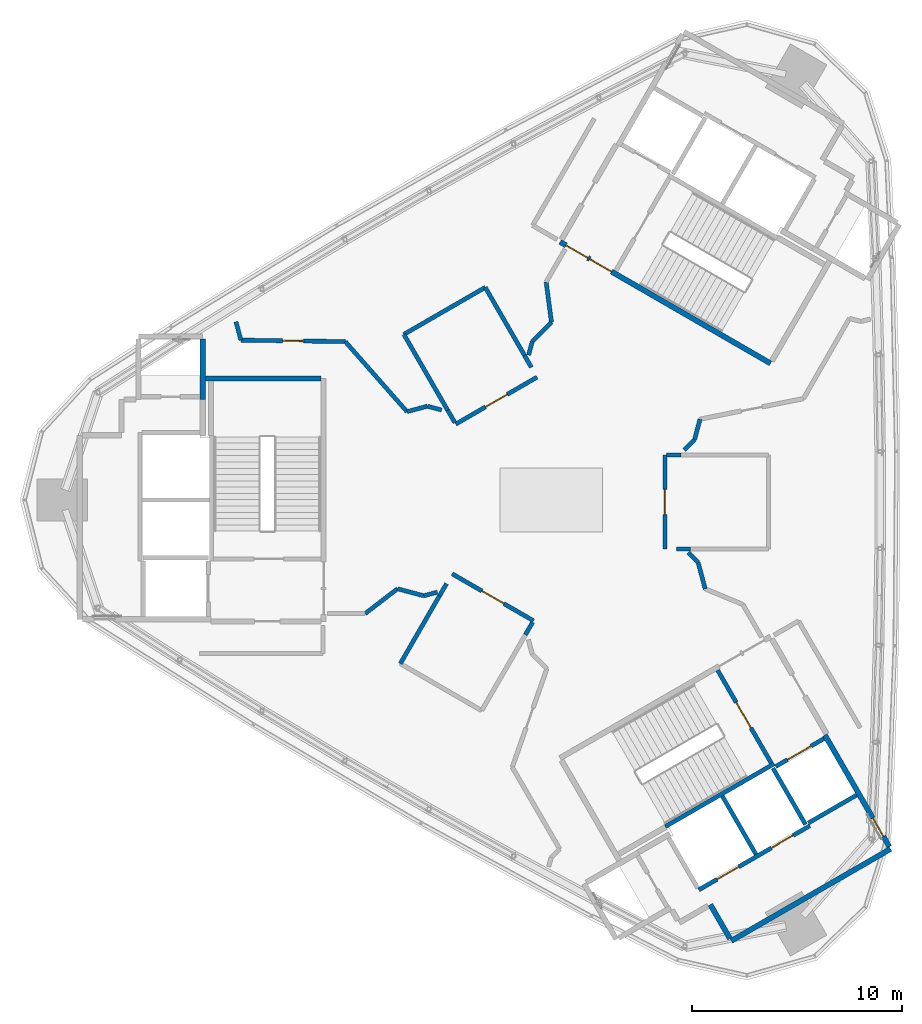
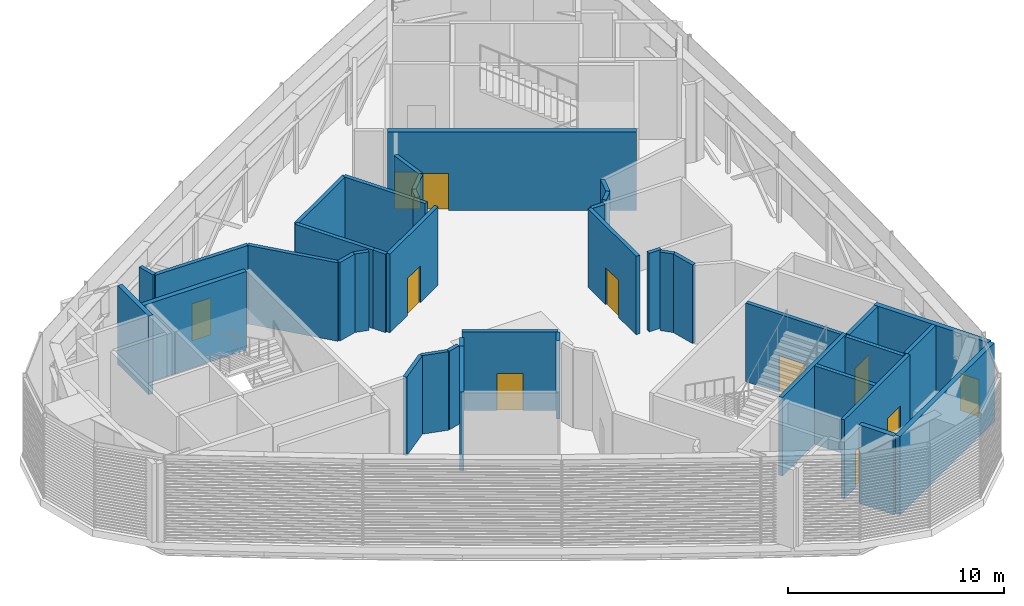
# One storey, part 16 of 21: 41 walls, 11 doors, 11 openings.
"""IFC4 building model written with IfcOpenShell, lengths in metres."""

from ifc_helpers import new_model, si_unit, direction, frame, frame_2d, origin, place, context, subcontext, project, spatial, rectangle, extrude, material, layer, layer_set, type_object, element, fill, save


model = new_model("IFC4")

# Units and contexts
model_context = context("Model", 3, precision=1e-05, world=origin(), true_north=direction((0.0, 1.0)))
body_context = subcontext(model_context, "Body", "Model", "MODEL_VIEW")
ifc_project = project(units=[si_unit("LENGTHUNIT", "METRE"), si_unit("AREAUNIT", "SQUARE_METRE"), si_unit("VOLUMEUNIT", "CUBIC_METRE"), si_unit("PLANEANGLEUNIT", "RADIAN"), si_unit("MASSUNIT", "GRAM", prefix="KILO")], contexts=[model_context])

# Site, building, storey
site_placement = place(None, origin())
site = spatial("IfcSite", under=ifc_project, at=site_placement, CompositionType="ELEMENT")
building_placement = place(site_placement, origin())
building = spatial("IfcBuilding", under=site, at=building_placement, Name="Tamra Quay Hotel Tower", CompositionType="ELEMENT")
storey_placement = place(building_placement, frame((0.0, 0.0, 301.800048828125)))
storey = spatial("IfcBuildingStorey", under=building, at=storey_placement, Name="L76", CompositionType="ELEMENT", Elevation=301.800048828125)

# Wall
ifc_material_1 = material(Name="Concrete M70", Category="concrete")
ifc_layer_1 = layer(ifc_material_1, 0.199951171875)
ifc_layer_set_1 = layer_set([ifc_layer_1], Name="Concrete M70 core wall 200")
wall_type_1 = type_object("IfcWallType", Name="Concrete M70 core wall 200", PredefinedType="SHEAR", material=ifc_layer_set_1)
wall_1_placement = place(storey_placement, frame((5.4189453125, -15.533935546875, 0.0), z_axis=(0.0, 0.0, 1.0), x_axis=(0.866029065029, 0.499993658486, 0.0)))
element("IfcWall", 1, at=wall_1_placement, inside=storey, type_object=wall_type_1, Name="CW2", PredefinedType="SHEAR", context=body_context, shape_type="SweptSolid", body=[
    extrude(rectangle(XDim=5.97412109375, YDim=0.199951171875, at=frame_2d((2.987060546875, 0.0))), origin(), (0.0, 0.0, 1.0), 4.449951171875),
])

# Wall, openings, doors
wall_2_placement = place(storey_placement, frame((7.009765625, -18.54150390625, 0.0), z_axis=(0.0, 0.0, 1.0), x_axis=(0.866030299012, 0.499991521122, 0.0)))
wall_2 = element("IfcWall", 2, at=wall_2_placement, inside=storey, type_object=wall_type_1, Name="CW2", PredefinedType="SHEAR", context=body_context, shape_type="SweptSolid", body=[
    extrude(rectangle(XDim=6.10009765625, YDim=0.199951171875, at=frame_2d((3.050048828125, 0.0))), origin(), (0.0, 0.0, 1.0), 4.449951171875),
])
opening_1_placement = place(wall_2_placement, frame((1.0, 0.0, 0.0)))
opening_1 = element("IfcOpeningElement", 3, at=opening_1_placement, cuts=wall_2, Name="Opening LD", PredefinedType="OPENING", context=body_context, shape_type="SweptSolid", body=[
    extrude(rectangle(XDim=1.199951171875, YDim=2.10009765625, at=frame_2d((0.60009765625, 1.050048828125))), frame((0.0, 0.10986328125, 0.0), z_axis=(0.0, -1.0, 0.0), x_axis=(1.0, 0.0, 0.0)), (0.0, 0.0, 1.0), 0.219970703125),
])
opening_2_placement = place(wall_2_placement, frame((3.982177734375, 0.0, 0.0)))
opening_2 = element("IfcOpeningElement", 4, at=opening_2_placement, cuts=wall_2, Name="Opening LD", PredefinedType="OPENING", context=body_context, shape_type="SweptSolid", body=[
    extrude(rectangle(XDim=1.199951171875, YDim=2.10009765625, at=frame_2d((0.60009765625, 1.050048828125))), frame((0.0, 0.10986328125, 0.0), z_axis=(0.0, -1.0, 0.0), x_axis=(1.0, 0.0, 0.0)), (0.0, 0.0, 1.0), 0.219970703125),
])
ifc_material_2 = material(Name="Landing door LD 1200 double door sliding")
door_type_1 = type_object("IfcDoorType", Name="Landing door LD 1200 double door sliding", OperationType="DOUBLE_DOOR_SLIDING", PredefinedType="DOOR", material=ifc_material_2)
door_1_placement = place(opening_1_placement, origin())
door_1 = element("IfcDoor", 5, at=door_1_placement, inside=storey, type_object=door_type_1, Name="LD", OperationType="DOUBLE_DOOR_SLIDING", OverallHeight=2.10009765625, OverallWidth=1.199951171875, PredefinedType="DOOR", context=body_context, shape_type="SweptSolid", body=[
    extrude(rectangle(XDim=1.199951171875, YDim=2.10009765625, at=frame_2d((0.60009765625, 1.050048828125))), frame((0.0, 0.02490234375, 0.0), z_axis=(0.0, -1.0, 0.0), x_axis=(1.0, 0.0, 0.0)), (0.0, 0.0, 1.0), 0.050048828125),
])
fill(opening_1, door_1)
door_2_placement = place(opening_2_placement, origin())
door_2 = element("IfcDoor", 6, at=door_2_placement, inside=storey, type_object=door_type_1, Name="LD", OperationType="DOUBLE_DOOR_SLIDING", OverallHeight=2.10009765625, OverallWidth=1.199951171875, PredefinedType="DOOR", context=body_context, shape_type="SweptSolid", body=[
    extrude(rectangle(XDim=1.199951171875, YDim=2.10009765625, at=frame_2d((0.60009765625, 1.050048828125))), frame((0.0, 0.02490234375, 0.0), z_axis=(0.0, -1.0, 0.0), x_axis=(1.0, 0.0, 0.0)), (0.0, 0.0, 1.0), 0.050048828125),
])
fill(opening_2, door_2)

# Wall, opening, door
wall_3_placement = place(storey_placement, frame((7.906494140625, -8.094482421875, 0.0), z_axis=(0.0, 0.0, 1.0), x_axis=(0.500027839223, -0.866009330205, 0.0)))
wall_3 = element("IfcWall", 7, at=wall_3_placement, inside=storey, type_object=wall_type_1, Name="CW2", PredefinedType="SHEAR", context=body_context, shape_type="SweptSolid", body=[
    extrude(rectangle(XDim=5.097900390625, YDim=0.199951171875, at=frame_2d((2.548828125, 0.0))), origin(), (0.0, 0.0, 1.0), 4.449951171875),
])
opening_3_placement = place(wall_3_placement, frame((1.77392578125, 0.0, 0.0)))
opening_3 = element("IfcOpeningElement", 8, at=opening_3_placement, cuts=wall_3, Name="Opening FD2", PredefinedType="OPENING", context=body_context, shape_type="SweptSolid", body=[
    extrude(rectangle(XDim=1.39990234375, YDim=2.10009765625, at=frame_2d((0.699951171875, 1.050048828125))), frame((0.0, 0.10986328125, 0.0), z_axis=(0.0, -1.0, 0.0), x_axis=(1.0, 0.0, 0.0)), (0.0, 0.0, 1.0), 0.219970703125),
])
ifc_material_3 = material(Name="Core door FD2 1400x2100 LH")
door_type_2 = type_object("IfcDoorType", Name="Core door FD2 1400x2100 LH", OperationType="NOTDEFINED", PredefinedType="DOOR", material=ifc_material_3)
door_3_placement = place(opening_3_placement, origin())
door_3 = element("IfcDoor", 9, at=door_3_placement, inside=storey, type_object=door_type_2, Name="FD2", OperationType="SINGLE_SWING_LEFT", OverallHeight=2.10009765625, OverallWidth=1.39990234375, PredefinedType="DOOR", context=body_context, shape_type="SweptSolid", body=[
    extrude(rectangle(XDim=1.39990234375, YDim=2.10009765625, at=frame_2d((0.699951171875, 1.050048828125))), frame((0.0, 0.02490234375, 0.0), z_axis=(0.0, -1.0, 0.0), x_axis=(1.0, 0.0, 0.0)), (0.0, 0.0, 1.0), 0.050048828125),
])
fill(opening_3, door_3)

# Walls
wall_4_placement = place(storey_placement, frame((8.131591796875, -14.084228515625, 0.0), z_axis=(0.0, 0.0, 1.0), x_axis=(0.499997778408, -0.866026686418, 0.0)))
element("IfcWall", 10, at=wall_4_placement, inside=storey, type_object=wall_type_1, Name="CW2", PredefinedType="SHEAR", context=body_context, shape_type="SweptSolid", body=[
    extrude(rectangle(XDim=3.1982421875, YDim=0.199951171875, at=frame_2d((1.59912109375, 0.0))), origin(), (0.0, 0.0, 1.0), 4.449951171875),
])
wall_5_placement = place(storey_placement, frame((12.087646484375, -15.4365234375, 0.0), z_axis=(0.0, 0.0, 1.0), x_axis=(-0.500026960575, 0.86600983753, 0.0)))
element("IfcWall", 11, at=wall_5_placement, inside=storey, type_object=wall_type_1, Name="CW2", PredefinedType="SHEAR", context=body_context, shape_type="SweptSolid", body=[
    extrude(rectangle(XDim=3.099853515625, YDim=0.199951171875, at=frame_2d((1.5498046875, 0.0))), origin(), (0.0, 0.0, 1.0), 4.449951171875),
])

# Wall, opening, door
wall_6_placement = place(storey_placement, frame((10.666015625, -12.677734375, 0.0), z_axis=(0.0, 0.0, 1.0), x_axis=(0.866018407898, 0.500012117035, 0.0)))
wall_6 = element("IfcWall", 12, at=wall_6_placement, inside=storey, type_object=wall_type_1, Name="CW2", PredefinedType="SHEAR", context=body_context, shape_type="SweptSolid", body=[
    extrude(rectangle(XDim=2.65087890625, YDim=0.199951171875, at=frame_2d((1.325439453125, 0.0))), origin(), (0.0, 0.0, 1.0), 4.449951171875),
])
opening_4_placement = place(wall_6_placement, frame((0.65185546875, 0.0, 0.0)))
opening_4 = element("IfcOpeningElement", 13, at=opening_4_placement, cuts=wall_6, Name="Opening LD", PredefinedType="OPENING", context=body_context, shape_type="SweptSolid", body=[
    extrude(rectangle(XDim=1.300048828125, YDim=2.10009765625, at=frame_2d((0.64990234375, 1.050048828125))), frame((0.0, 0.10986328125, 0.0), z_axis=(0.0, -1.0, 0.0), x_axis=(1.0, 0.0, 0.0)), (0.0, 0.0, 1.0), 0.219970703125),
])
ifc_material_4 = material(Name="Landing door LD 1300 sliding to left")
door_type_3 = type_object("IfcDoorType", Name="Landing door LD 1300 sliding to left", OperationType="NOTDEFINED", PredefinedType="DOOR", material=ifc_material_4)
door_4_placement = place(opening_4_placement, origin())
door_4 = element("IfcDoor", 14, at=door_4_placement, inside=storey, type_object=door_type_3, Name="LD", OperationType="SLIDING_TO_LEFT", OverallHeight=2.10009765625, OverallWidth=1.300048828125, PredefinedType="DOOR", context=body_context, shape_type="SweptSolid", body=[
    extrude(rectangle(XDim=1.300048828125, YDim=2.10009765625, at=frame_2d((0.64990234375, 1.050048828125))), frame((0.0, 0.02490234375, 0.0), z_axis=(0.0, -1.0, 0.0), x_axis=(1.0, 0.0, 0.0)), (0.0, 0.0, 1.0), 0.050048828125),
])
fill(opening_4, door_4)

# Walls
wall_7_placement = place(storey_placement, frame((14.51171875, -14.037109375, 0.0), z_axis=(0.0, 0.0, 1.0), x_axis=(-0.866018407898, -0.500012117035, 0.0)))
element("IfcWall", 15, at=wall_7_placement, inside=storey, type_object=wall_type_1, Name="CW2", PredefinedType="SHEAR", context=body_context, shape_type="SweptSolid", body=[
    extrude(rectangle(XDim=2.65087890625, YDim=0.199951171875, at=frame_2d((1.325439453125, 0.0))), origin(), (0.0, 0.0, 1.0), 4.449951171875),
])
ifc_layer_2 = layer(ifc_material_1, 0.25)
ifc_layer_set_2 = layer_set([ifc_layer_2], Name="Concrete M70 core wall 250")
wall_type_2 = type_object("IfcWallType", Name="Concrete M70 core wall 250", PredefinedType="SHEAR", material=ifc_layer_set_2)
wall_8_placement = place(storey_placement, frame((-16.47216796875, 5.77490234375, 0.0), z_axis=(0.0, 0.0, 1.0), x_axis=(1.0, 0.0, 0.0)))
element("IfcWall", 16, at=wall_8_placement, inside=storey, type_object=wall_type_2, Name="CW1", PredefinedType="SHEAR", context=body_context, shape_type="SweptSolid", body=[
    extrude(rectangle(XDim=5.509521484375, YDim=0.25, at=frame_2d((2.7548828125, 0.0))), origin(), (0.0, 0.0, 1.0), 4.449951171875),
])
wall_9_placement = place(storey_placement, frame((-16.58740234375, 7.649658203125, 0.0), z_axis=(0.0, 0.0, 1.0), x_axis=(0.0, -1.0, 0.0)))
element("IfcWall", 17, at=wall_9_placement, inside=storey, type_object=wall_type_2, Name="CW1", PredefinedType="SHEAR", context=body_context, shape_type="SweptSolid", body=[
    extrude(rectangle(XDim=2.86474609375, YDim=0.25, at=frame_2d((1.432373046875, 0.0))), origin(), (0.0, 0.0, 1.0), 4.449951171875),
])

# Wall, openings, doors
wall_10_placement = place(storey_placement, frame((10.419921875, 6.497802734375, 0.0), z_axis=(0.0, 0.0, 1.0), x_axis=(-0.866021906294, 0.500006057782, 0.0)))
wall_10 = element("IfcWall", 18, at=wall_10_placement, inside=storey, type_object=wall_type_2, Name="CW1", PredefinedType="SHEAR", context=body_context, shape_type="SweptSolid", body=[
    extrude(rectangle(XDim=11.550048828125, YDim=0.25, at=frame_2d((5.77490234375, 0.0))), origin(), (0.0, 0.0, 1.0), 4.449951171875),
])
opening_5_placement = place(wall_10_placement, frame((10.02490234375, 0.0, 0.0)))
opening_5 = element("IfcOpeningElement", 19, at=opening_5_placement, cuts=wall_10, Name="Opening FD1", PredefinedType="OPENING", context=body_context, shape_type="SweptSolid", body=[
    extrude(rectangle(XDim=1.199951171875, YDim=2.10009765625, at=frame_2d((0.60009765625, 1.050048828125))), frame((0.0, 0.135009765625, 0.0), z_axis=(0.0, -1.0, 0.0), x_axis=(1.0, 0.0, 0.0)), (0.0, 0.0, 1.0), 0.27001953125),
])
opening_6_placement = place(wall_10_placement, frame((8.724853515625, 0.0, 0.0)))
opening_6 = element("IfcOpeningElement", 20, at=opening_6_placement, cuts=wall_10, Name="Opening FD1", PredefinedType="OPENING", context=body_context, shape_type="SweptSolid", body=[
    extrude(rectangle(XDim=1.199951171875, YDim=2.10009765625, at=frame_2d((0.60009765625, 1.050048828125))), frame((0.0, 0.135009765625, 0.0), z_axis=(0.0, -1.0, 0.0), x_axis=(1.0, 0.0, 0.0)), (0.0, 0.0, 1.0), 0.27001953125),
])
ifc_material_5 = material(Name="Core door FD1 1200x2100 LH")
door_type_4 = type_object("IfcDoorType", Name="Core door FD1 1200x2100 LH", OperationType="NOTDEFINED", PredefinedType="DOOR", material=ifc_material_5)
door_5_placement = place(opening_5_placement, origin())
door_5 = element("IfcDoor", 21, at=door_5_placement, inside=storey, type_object=door_type_4, Name="FD1", OperationType="SINGLE_SWING_LEFT", OverallHeight=2.10009765625, OverallWidth=1.199951171875, PredefinedType="DOOR", context=body_context, shape_type="SweptSolid", body=[
    extrude(rectangle(XDim=1.199951171875, YDim=2.10009765625, at=frame_2d((0.60009765625, 1.050048828125))), frame((0.0, 0.02490234375, 0.0), z_axis=(0.0, -1.0, 0.0), x_axis=(1.0, 0.0, 0.0)), (0.0, 0.0, 1.0), 0.050048828125),
])
fill(opening_5, door_5)
ifc_material_6 = material(Name="Core door FD1 1200x2100 RH")
door_type_5 = type_object("IfcDoorType", Name="Core door FD1 1200x2100 RH", OperationType="NOTDEFINED", PredefinedType="DOOR", material=ifc_material_6)
door_6_placement = place(opening_6_placement, origin())
door_6 = element("IfcDoor", 22, at=door_6_placement, inside=storey, type_object=door_type_5, Name="FD1", OperationType="SINGLE_SWING_RIGHT", OverallHeight=2.10009765625, OverallWidth=1.199951171875, PredefinedType="DOOR", context=body_context, shape_type="SweptSolid", body=[
    extrude(rectangle(XDim=1.199951171875, YDim=2.10009765625, at=frame_2d((0.60009765625, 1.050048828125))), frame((0.0, 0.02490234375, 0.0), z_axis=(0.0, -1.0, 0.0), x_axis=(1.0, 0.0, 0.0)), (0.0, 0.0, 1.0), 0.050048828125),
])
fill(opening_6, door_6)

# Wall
wall_11_placement = place(storey_placement, frame((16.13330078125, -16.59375, 0.0), z_axis=(0.0, 0.0, 1.0), x_axis=(-0.866022959057, -0.500004234368, 0.0)))
element("IfcWall", 23, at=wall_11_placement, inside=storey, type_object=wall_type_2, Name="CW1", PredefinedType="SHEAR", context=body_context, shape_type="SweptSolid", body=[
    extrude(rectangle(XDim=8.75, YDim=0.25, at=frame_2d((4.375, 0.0))), origin(), (0.0, 0.0, 1.0), 4.449951171875),
])

# Wall, opening, door
wall_12_placement = place(storey_placement, frame((13.00830078125, -11.18115234375, 0.0), z_axis=(0.0, 0.0, 1.0), x_axis=(0.500001955336, -0.866024274868, 0.0)))
wall_12 = element("IfcWall", 24, at=wall_12_placement, inside=storey, type_object=wall_type_2, Name="CW1", PredefinedType="SHEAR", context=body_context, shape_type="SweptSolid", body=[
    extrude(rectangle(XDim=6.12451171875, YDim=0.25, at=frame_2d((3.062255859375, 0.0))), origin(), (0.0, 0.0, 1.0), 4.449951171875),
])
opening_7_placement = place(wall_12_placement, frame((4.562744140625, 0.0, 0.0)))
opening_7 = element("IfcOpeningElement", 25, at=opening_7_placement, cuts=wall_12, Name="Opening FD3", PredefinedType="OPENING", context=body_context, shape_type="SweptSolid", body=[
    extrude(rectangle(XDim=1.0, YDim=2.10009765625, at=frame_2d((0.5, 1.050048828125))), frame((0.0, 0.135009765625, 0.0), z_axis=(0.0, -1.0, 0.0), x_axis=(1.0, 0.0, 0.0)), (0.0, 0.0, 1.0), 0.27001953125),
])
ifc_material_7 = material(Name="Core door FD3 1000x2100 LH")
door_type_6 = type_object("IfcDoorType", Name="Core door FD3 1000x2100 LH", OperationType="NOTDEFINED", PredefinedType="DOOR", material=ifc_material_7)
door_7_placement = place(opening_7_placement, origin())
door_7 = element("IfcDoor", 26, at=door_7_placement, inside=storey, type_object=door_type_6, Name="FD3", OperationType="SINGLE_SWING_LEFT", OverallHeight=2.10009765625, OverallWidth=1.0, PredefinedType="DOOR", context=body_context, shape_type="SweptSolid", body=[
    extrude(rectangle(XDim=1.0, YDim=2.10009765625, at=frame_2d((0.5, 1.050048828125))), frame((0.0, 0.02490234375, 0.0), z_axis=(0.0, -1.0, 0.0), x_axis=(1.0, 0.0, 0.0)), (0.0, 0.0, 1.0), 0.050048828125),
])
fill(opening_7, door_7)

# Walls
wall_13_placement = place(storey_placement, frame((8.492919921875, -20.860107421875, 0.0), z_axis=(0.0, 0.0, 1.0), x_axis=(-0.500039802285, 0.866002422705, 0.0)))
element("IfcWall", 27, at=wall_13_placement, inside=storey, type_object=wall_type_2, Name="CW1", PredefinedType="SHEAR", context=body_context, shape_type="SweptSolid", body=[
    extrude(rectangle(XDim=1.864501953125, YDim=0.25, at=frame_2d((0.93212890625, 0.0))), origin(), (0.0, 0.0, 1.0), 4.449951171875),
])
ifc_material_8 = material(Name="Partition corridor wall")
ifc_layer_3 = layer(ifc_material_8, 0.199951171875)
ifc_layer_set_3 = layer_set([ifc_layer_3], Name="Partition corridor wall")
wall_type_3 = type_object("IfcWallType", Name="Partition corridor wall", PredefinedType="PARTITIONING", material=ifc_layer_set_3)
wall_14_placement = place(storey_placement, frame((-15.0009765625, 8.47705078125, 0.0), z_axis=(0.0, 0.0, 1.0), x_axis=(0.258233031799, -0.966082657586, 0.0)))
element("IfcWall", 28, at=wall_14_placement, inside=storey, type_object=wall_type_3, Name="W-C", PredefinedType="PARTITIONING", context=body_context, shape_type="SweptSolid", body=[
    extrude(rectangle(XDim=0.90576171875, YDim=0.199951171875, at=frame_2d((0.452880859375, 0.0))), origin(), (0.0, 0.0, 1.0), 4.449951171875),
])

# Wall, opening, door
wall_15_placement = place(storey_placement, frame((-14.76708984375, 7.60205078125, 0.0), z_axis=(0.0, 0.0, 1.0), x_axis=(0.999903193163, -0.013914176312, 0.0)))
wall_15 = element("IfcWall", 29, at=wall_15_placement, inside=storey, type_object=wall_type_3, Name="W-C", PredefinedType="PARTITIONING", context=body_context, shape_type="SweptSolid", body=[
    extrude(rectangle(XDim=4.965576171875, YDim=0.199951171875, at=frame_2d((2.48291015625, 0.0))), origin(), (0.0, 0.0, 1.0), 4.449951171875),
])
opening_8_placement = place(wall_15_placement, frame((1.984130859375, 0.0, 0.0)))
opening_8 = element("IfcOpeningElement", 30, at=opening_8_placement, cuts=wall_15, Name="Opening L76-D001", PredefinedType="OPENING", context=body_context, shape_type="SweptSolid", body=[
    extrude(rectangle(XDim=1.0, YDim=2.10009765625, at=frame_2d((0.5, 1.050048828125))), frame((0.0, 0.10986328125, 0.0), z_axis=(0.0, -1.0, 0.0), x_axis=(1.0, 0.0, 0.0)), (0.0, 0.0, 1.0), 0.219970703125),
])
ifc_material_9 = material(Name="Door service room 1000x2100")
door_type_7 = type_object("IfcDoorType", Name="Door service room 1000x2100", OperationType="NOTDEFINED", PredefinedType="DOOR", material=ifc_material_9)
door_8_placement = place(opening_8_placement, origin())
door_8 = element("IfcDoor", 31, at=door_8_placement, inside=storey, type_object=door_type_7, Name="L76-D001", OperationType="SINGLE_SWING_LEFT", OverallHeight=2.10009765625, OverallWidth=1.0, PredefinedType="DOOR", context=body_context, shape_type="SweptSolid", body=[
    extrude(rectangle(XDim=1.0, YDim=2.10009765625, at=frame_2d((0.5, 1.050048828125))), frame((0.0, 0.02490234375, 0.0), z_axis=(0.0, -1.0, 0.0), x_axis=(1.0, 0.0, 0.0)), (0.0, 0.0, 1.0), 0.050048828125),
])
fill(opening_8, door_8)

# Walls
wall_16_placement = place(storey_placement, frame((-9.802001953125, 7.532958984375, 0.0), z_axis=(0.0, 0.0, 1.0), x_axis=(0.660992214586, -0.750392758665, 0.0)))
element("IfcWall", 32, at=wall_16_placement, inside=storey, type_object=wall_type_3, Name="W-C", PredefinedType="PARTITIONING", context=body_context, shape_type="SweptSolid", body=[
    extrude(rectangle(XDim=4.4404296875, YDim=0.199951171875, at=frame_2d((2.22021484375, 0.0))), origin(), (0.0, 0.0, 1.0), 4.449951171875),
])
wall_17_placement = place(storey_placement, frame((-8.85400390625, -5.39990234375, 0.0), z_axis=(0.0, 0.0, 1.0), x_axis=(0.793116457917, 0.609070015828, 0.0)))
element("IfcWall", 33, at=wall_17_placement, inside=storey, type_object=wall_type_3, Name="W-C", PredefinedType="PARTITIONING", context=body_context, shape_type="SweptSolid", body=[
    extrude(rectangle(XDim=1.93408203125, YDim=0.199951171875, at=frame_2d((0.967041015625, 0.0))), origin(), (0.0, 0.0, 1.0), 4.449951171875),
])
wall_18_placement = place(storey_placement, frame((-6.866943359375, 4.200927734375, 0.0), z_axis=(0.0, 0.0, 1.0), x_axis=(0.966012174397, 0.258496574284, 0.0)))
element("IfcWall", 34, at=wall_18_placement, inside=storey, type_object=wall_type_3, Name="W-C", PredefinedType="PARTITIONING", context=body_context, shape_type="SweptSolid", body=[
    extrude(rectangle(XDim=1.002197265625, YDim=0.199951171875, at=frame_2d((0.5009765625, 0.0))), origin(), (0.0, 0.0, 1.0), 4.449951171875),
])
wall_19_placement = place(storey_placement, frame((-7.320068359375, -4.221923828125, 0.0), z_axis=(0.0, 0.0, 1.0), x_axis=(0.966159789195, -0.257944299691, 0.0)))
element("IfcWall", 35, at=wall_19_placement, inside=storey, type_object=wall_type_3, Name="W-C", PredefinedType="PARTITIONING", context=body_context, shape_type="SweptSolid", body=[
    extrude(rectangle(XDim=1.294677734375, YDim=0.199951171875, at=frame_2d((0.6474609375, 0.0))), origin(), (0.0, 0.0, 1.0), 4.449951171875),
])
wall_20_placement = place(storey_placement, frame((-6.069091796875, -4.555908203125, 0.0), z_axis=(0.0, 0.0, 1.0), x_axis=(0.966113813523, 0.258116445273, 0.0)))
element("IfcWall", 36, at=wall_20_placement, inside=storey, type_object=wall_type_3, Name="W-C", PredefinedType="PARTITIONING", context=body_context, shape_type="SweptSolid", body=[
    extrude(rectangle(XDim=0.669677734375, YDim=0.199951171875, at=frame_2d((0.3349609375, 0.0))), origin(), (0.0, 0.0, 1.0), 4.449951171875),
])
wall_21_placement = place(storey_placement, frame((-5.89892578125, 4.4599609375, 0.0), z_axis=(0.0, 0.0, 1.0), x_axis=(0.966194504605, -0.257814234034, 0.0)))
element("IfcWall", 37, at=wall_21_placement, inside=storey, type_object=wall_type_3, Name="W-C", PredefinedType="PARTITIONING", context=body_context, shape_type="SweptSolid", body=[
    extrude(rectangle(XDim=0.70166015625, YDim=0.199951171875, at=frame_2d((0.350830078125, 0.0))), origin(), (0.0, 0.0, 1.0), 4.449951171875),
])
wall_22_placement = place(storey_placement, frame((-5.319091796875, -4.553955078125, 0.0), z_axis=(0.0, 0.0, 1.0), x_axis=(0.500093796661, 0.865971243484, 0.0)))
element("IfcWall", 38, at=wall_22_placement, inside=storey, type_object=wall_type_3, Name="W-C", PredefinedType="PARTITIONING", context=body_context, shape_type="SweptSolid", body=[
    extrude(rectangle(XDim=0.663818359375, YDim=0.199951171875, at=frame_2d((0.33203125, 0.0))), origin(), (0.0, 0.0, 1.0), 4.449951171875),
])
wall_23_placement = place(storey_placement, frame((-4.93310546875, 4.27294921875, 0.0), z_axis=(0.0, 0.0, 1.0), x_axis=(0.500699086314, -0.865621409719, 0.0)))
element("IfcWall", 39, at=wall_23_placement, inside=storey, type_object=wall_type_3, Name="W-C", PredefinedType="PARTITIONING", context=body_context, shape_type="SweptSolid", body=[
    extrude(rectangle(XDim=0.68505859375, YDim=0.199951171875, at=frame_2d((0.342529296875, 0.0))), origin(), (0.0, 0.0, 1.0), 4.449951171875),
])

# Wall, opening, door
wall_24_placement = place(storey_placement, frame((-4.718017578125, -3.510986328125, 0.0), z_axis=(0.0, 0.0, 1.0), x_axis=(0.865993462583, -0.500055319703, 0.0)))
wall_24 = element("IfcWall", 40, at=wall_24_placement, inside=storey, type_object=wall_type_3, Name="W-C", PredefinedType="PARTITIONING", context=body_context, shape_type="SweptSolid", body=[
    extrude(rectangle(XDim=4.46533203125, YDim=0.199951171875, at=frame_2d((2.232666015625, 0.0))), origin(), (0.0, 0.0, 1.0), 4.449951171875),
])
opening_9_placement = place(wall_24_placement, frame((1.6328125, 0.0, 0.0)))
opening_9 = element("IfcOpeningElement", 41, at=opening_9_placement, cuts=wall_24, Name="Opening L76-D006", PredefinedType="OPENING", context=body_context, shape_type="SweptSolid", body=[
    extrude(rectangle(XDim=1.199951171875, YDim=2.10009765625, at=frame_2d((0.60009765625, 1.050048828125))), frame((0.0, 0.10986328125, 0.0), z_axis=(0.0, -1.0, 0.0), x_axis=(1.0, 0.0, 0.0)), (0.0, 0.0, 1.0), 0.219970703125),
])
ifc_material_10 = material(Name="Door fire rated 1200x2100")
door_type_8 = type_object("IfcDoorType", Name="Door fire rated 1200x2100", OperationType="NOTDEFINED", PredefinedType="DOOR", material=ifc_material_10)
door_9_placement = place(opening_9_placement, frame((1.199951171875, 0.0, 0.0), z_axis=(0.0, 0.0, 1.0), x_axis=(-1.0, 0.0, 0.0)))
door_9 = element("IfcDoor", 42, at=door_9_placement, inside=storey, type_object=door_type_8, Name="L76-D006", OperationType="SINGLE_SWING_LEFT", OverallHeight=2.10009765625, OverallWidth=1.199951171875, PredefinedType="DOOR", context=body_context, shape_type="SweptSolid", body=[
    extrude(rectangle(XDim=1.199951171875, YDim=2.10009765625, at=frame_2d((0.60009765625, 1.050048828125))), frame((0.0, 0.02490234375, 0.0), z_axis=(0.0, -1.0, 0.0), x_axis=(1.0, 0.0, 0.0)), (0.0, 0.0, 1.0), 0.050048828125),
])
fill(opening_9, door_9)

wall_25_placement = place(storey_placement, frame((-4.550048828125, 3.60791015625, 0.0), z_axis=(0.0, 0.0, 1.0), x_axis=(0.865943452446, 0.500141917025, 0.0)))
wall_25 = element("IfcWall", 43, at=wall_25_placement, inside=storey, type_object=wall_type_3, Name="W-C", PredefinedType="PARTITIONING", context=body_context, shape_type="SweptSolid", body=[
    extrude(rectangle(XDim=4.467041015625, YDim=0.199951171875, at=frame_2d((2.2333984375, 0.0))), origin(), (0.0, 0.0, 1.0), 4.449951171875),
])
opening_10_placement = place(wall_25_placement, frame((1.633544921875, 0.0, 0.0)))
opening_10 = element("IfcOpeningElement", 44, at=opening_10_placement, cuts=wall_25, Name="Opening L76-D004", PredefinedType="OPENING", context=body_context, shape_type="SweptSolid", body=[
    extrude(rectangle(XDim=1.199951171875, YDim=2.10009765625, at=frame_2d((0.60009765625, 1.050048828125))), frame((0.0, 0.10986328125, 0.0), z_axis=(0.0, -1.0, 0.0), x_axis=(1.0, 0.0, 0.0)), (0.0, 0.0, 1.0), 0.219970703125),
])
door_10_placement = place(opening_10_placement, origin())
door_10 = element("IfcDoor", 45, at=door_10_placement, inside=storey, type_object=door_type_8, Name="L76-D004", OperationType="SINGLE_SWING_LEFT", OverallHeight=2.10009765625, OverallWidth=1.199951171875, PredefinedType="DOOR", context=body_context, shape_type="SweptSolid", body=[
    extrude(rectangle(XDim=1.199951171875, YDim=2.10009765625, at=frame_2d((0.60009765625, 1.050048828125))), frame((0.0, 0.02490234375, 0.0), z_axis=(0.0, -1.0, 0.0), x_axis=(1.0, 0.0, 0.0)), (0.0, 0.0, 1.0), 0.050048828125),
])
fill(opening_10, door_10)

# Walls
wall_26_placement = place(storey_placement, frame((-1.284912109375, 6.885009765625, 0.0), z_axis=(0.0, 0.0, 1.0), x_axis=(0.499988630717, -0.866031967744, 0.0)))
element("IfcWall", 46, at=wall_26_placement, inside=storey, type_object=wall_type_3, Name="W-C", PredefinedType="PARTITIONING", context=body_context, shape_type="SweptSolid", body=[
    extrude(rectangle(XDim=0.66162109375, YDim=0.199951171875, at=frame_2d((0.330810546875, 0.0))), origin(), (0.0, 0.0, 1.0), 4.449951171875),
])
wall_27_placement = place(storey_placement, frame((-1.237060546875, -6.409912109375, 0.0), z_axis=(0.0, 0.0, 1.0), x_axis=(0.501148429931, 0.865361341393, 0.0)))
element("IfcWall", 47, at=wall_27_placement, inside=storey, type_object=wall_type_3, Name="W-C", PredefinedType="PARTITIONING", context=body_context, shape_type="SweptSolid", body=[
    extrude(rectangle(XDim=0.6865234375, YDim=0.199951171875, at=frame_2d((0.34326171875, 0.0))), origin(), (0.0, 0.0, 1.0), 4.449951171875),
])
wall_28_placement = place(storey_placement, frame((-1.0849609375, 6.886962890625, 0.0), z_axis=(0.0, 0.0, 1.0), x_axis=(0.259816652695, 0.965657965836, 0.0)))
element("IfcWall", 48, at=wall_28_placement, inside=storey, type_object=wall_type_3, Name="W-C", PredefinedType="PARTITIONING", context=body_context, shape_type="SweptSolid", body=[
    extrude(rectangle(XDim=0.669921875, YDim=0.199951171875, at=frame_2d((0.3349609375, 0.0))), origin(), (0.0, 0.0, 1.0), 4.449951171875),
])
wall_29_placement = place(storey_placement, frame((-0.910888671875, 7.533935546875, 0.0), z_axis=(0.0, 0.0, 1.0), x_axis=(0.707012431094, 0.707201118692, 0.0)))
element("IfcWall", 49, at=wall_29_placement, inside=storey, type_object=wall_type_3, Name="W-C", PredefinedType="PARTITIONING", context=body_context, shape_type="SweptSolid", body=[
    extrude(rectangle(XDim=1.2939453125, YDim=0.199951171875, at=frame_2d((0.64697265625, 0.0))), origin(), (0.0, 0.0, 1.0), 4.449951171875),
])
wall_30_placement = place(storey_placement, frame((-0.2490234375, 10.367919921875, 0.0), z_axis=(0.0, 0.0, 1.0), x_axis=(0.13067638415, -0.991425076658, 0.0)))
element("IfcWall", 50, at=wall_30_placement, inside=storey, type_object=wall_type_3, Name="W-C", PredefinedType="PARTITIONING", context=body_context, shape_type="SweptSolid", body=[
    extrude(rectangle(XDim=1.935546875, YDim=0.199951171875, at=frame_2d((0.9677734375, 0.0))), origin(), (0.0, 0.0, 1.0), 4.449951171875),
])

# Wall, opening, door
wall_31_placement = place(storey_placement, frame((5.39990234375, -2.3310546875, 0.0), z_axis=(0.0, 0.0, 1.0), x_axis=(0.0, 1.0, 0.0)))
wall_31 = element("IfcWall", 51, at=wall_31_placement, inside=storey, type_object=wall_type_3, Name="W-C", PredefinedType="PARTITIONING", context=body_context, shape_type="SweptSolid", body=[
    extrude(rectangle(XDim=4.467041015625, YDim=0.199951171875, at=frame_2d((2.2333984375, 0.0))), origin(), (0.0, 0.0, 1.0), 4.449951171875),
])
opening_11_placement = place(wall_31_placement, frame((1.633544921875, 0.0, 0.0)))
opening_11 = element("IfcOpeningElement", 52, at=opening_11_placement, cuts=wall_31, Name="Opening L76-D005", PredefinedType="OPENING", context=body_context, shape_type="SweptSolid", body=[
    extrude(rectangle(XDim=1.199951171875, YDim=2.10009765625, at=frame_2d((0.60009765625, 1.050048828125))), frame((0.0, 0.10986328125, 0.0), z_axis=(0.0, -1.0, 0.0), x_axis=(1.0, 0.0, 0.0)), (0.0, 0.0, 1.0), 0.219970703125),
])
door_11_placement = place(opening_11_placement, frame((1.199951171875, 0.0, 0.0), z_axis=(0.0, 0.0, 1.0), x_axis=(-1.0, 0.0, 0.0)))
door_11 = element("IfcDoor", 53, at=door_11_placement, inside=storey, type_object=door_type_8, Name="L76-D005", OperationType="SINGLE_SWING_LEFT", OverallHeight=2.10009765625, OverallWidth=1.199951171875, PredefinedType="DOOR", context=body_context, shape_type="SweptSolid", body=[
    extrude(rectangle(XDim=1.199951171875, YDim=2.10009765625, at=frame_2d((0.60009765625, 1.050048828125))), frame((0.0, 0.02490234375, 0.0), z_axis=(0.0, -1.0, 0.0), x_axis=(1.0, 0.0, 0.0)), (0.0, 0.0, 1.0), 0.050048828125),
])
fill(opening_11, door_11)

# Walls
wall_32_placement = place(storey_placement, frame((5.48193359375, 2.135009765625, 0.0), z_axis=(0.0, 0.0, 1.0), x_axis=(1.0, 0.0, 0.0)))
element("IfcWall", 54, at=wall_32_placement, inside=storey, type_object=wall_type_3, Name="W-C", PredefinedType="PARTITIONING", context=body_context, shape_type="SweptSolid", body=[
    extrude(rectangle(XDim=0.68505859375, YDim=0.199951171875, at=frame_2d((0.342529296875, 0.0))), origin(), (0.0, 0.0, 1.0), 4.449951171875),
])
wall_33_placement = place(storey_placement, frame((5.943115234375, -2.330078125, 0.0), z_axis=(0.0, 0.0, 1.0), x_axis=(1.0, 0.0, 0.0)))
element("IfcWall", 55, at=wall_33_placement, inside=storey, type_object=wall_type_3, Name="W-C", PredefinedType="PARTITIONING", context=body_context, shape_type="SweptSolid", body=[
    extrude(rectangle(XDim=0.660888671875, YDim=0.199951171875, at=frame_2d((0.33056640625, 0.0))), origin(), (0.0, 0.0, 1.0), 4.449951171875),
])
wall_34_placement = place(storey_placement, frame((6.31298828125, 2.381103515625, 0.0), z_axis=(0.0, 0.0, 1.0), x_axis=(0.707973863937, 0.706238633878, 0.0)))
element("IfcWall", 56, at=wall_34_placement, inside=storey, type_object=wall_type_3, Name="W-C", PredefinedType="PARTITIONING", context=body_context, shape_type="SweptSolid", body=[
    extrude(rectangle(XDim=0.703369140625, YDim=0.199951171875, at=frame_2d((0.3515625, 0.0))), origin(), (0.0, 0.0, 1.0), 4.449951171875),
])
wall_35_placement = place(storey_placement, frame((6.506103515625, -2.50390625, 0.0), z_axis=(0.0, 0.0, 1.0), x_axis=(0.706924654529, -0.707288860946, 0.0)))
element("IfcWall", 57, at=wall_35_placement, inside=storey, type_object=wall_type_3, Name="W-C", PredefinedType="PARTITIONING", context=body_context, shape_type="SweptSolid", body=[
    extrude(rectangle(XDim=0.67041015625, YDim=0.199951171875, at=frame_2d((0.335205078125, 0.0))), origin(), (0.0, 0.0, 1.0), 4.449951171875),
])
wall_36_placement = place(storey_placement, frame((6.81103515625, 2.8779296875, 0.0), z_axis=(0.0, 0.0, 1.0), x_axis=(0.258316655297, 0.966060301221, 0.0)))
element("IfcWall", 58, at=wall_36_placement, inside=storey, type_object=wall_type_3, Name="W-C", PredefinedType="PARTITIONING", context=body_context, shape_type="SweptSolid", body=[
    extrude(rectangle(XDim=0.9990234375, YDim=0.199951171875, at=frame_2d((0.49951171875, 0.0))), origin(), (0.0, 0.0, 1.0), 4.449951171875),
])
wall_37_placement = place(storey_placement, frame((6.97998046875, -2.97802734375, 0.0), z_axis=(0.0, 0.0, 1.0), x_axis=(0.259797678908, -0.965663070659, 0.0)))
element("IfcWall", 59, at=wall_37_placement, inside=storey, type_object=wall_type_3, Name="W-C", PredefinedType="PARTITIONING", context=body_context, shape_type="SweptSolid", body=[
    extrude(rectangle(XDim=1.294921875, YDim=0.199951171875, at=frame_2d((0.6474609375, 0.0))), origin(), (0.0, 0.0, 1.0), 4.449951171875),
])
ifc_material_11 = material(Name="Partition party wall")
ifc_layer_4 = layer(ifc_material_11, 0.199951171875)
ifc_layer_set_4 = layer_set([ifc_layer_4], Name="Partition party wall")
wall_type_4 = type_object("IfcWallType", Name="Partition party wall", PredefinedType="PARTITIONING", material=ifc_layer_set_4)
wall_38_placement = place(storey_placement, frame((-7.18505859375, -7.781982421875, 0.0), z_axis=(0.0, 0.0, 1.0), x_axis=(0.499794252385, 0.866144159642, 0.0)))
element("IfcWall", 60, at=wall_38_placement, inside=storey, type_object=wall_type_4, Name="W-P", PredefinedType="PARTITIONING", context=body_context, shape_type="SweptSolid", body=[
    extrude(rectangle(XDim=3.728515625, YDim=0.199951171875, at=frame_2d((1.8642578125, 0.0))), origin(), (0.0, 0.0, 1.0), 4.449951171875),
])
wall_39_placement = place(storey_placement, frame((-7.01611328125, 7.876953125, 0.0), z_axis=(0.0, 0.0, 1.0), x_axis=(0.865958133649, 0.500116497196, 0.0)))
element("IfcWall", 61, at=wall_39_placement, inside=storey, type_object=wall_type_4, Name="W-P", PredefinedType="PARTITIONING", context=body_context, shape_type="SweptSolid", body=[
    extrude(rectangle(XDim=4.46923828125, YDim=0.199951171875, at=frame_2d((2.234619140625, 0.0))), origin(), (0.0, 0.0, 1.0), 4.449951171875),
])
wall_40_placement = place(storey_placement, frame((-7.01611328125, 7.876953125, 0.0), z_axis=(0.0, 0.0, 1.0), x_axis=(0.499810457605, -0.866134808485, 0.0)))
element("IfcWall", 62, at=wall_40_placement, inside=storey, type_object=wall_type_4, Name="W-P", PredefinedType="PARTITIONING", context=body_context, shape_type="SweptSolid", body=[
    extrude(rectangle(XDim=4.16259765625, YDim=0.199951171875, at=frame_2d((2.081298828125, 0.0))), origin(), (0.0, 0.0, 1.0), 4.449951171875),
])
wall_41_placement = place(storey_placement, frame((-3.14599609375, 10.112060546875, 0.0), z_axis=(0.0, 0.0, 1.0), x_axis=(0.500248116606, -0.865882106197, 0.0)))
element("IfcWall", 63, at=wall_41_placement, inside=storey, type_object=wall_type_4, Name="W-P", PredefinedType="PARTITIONING", context=body_context, shape_type="SweptSolid", body=[
    extrude(rectangle(XDim=3.72509765625, YDim=0.199951171875, at=frame_2d((1.862548828125, 0.0))), origin(), (0.0, 0.0, 1.0), 4.449951171875),
])

save(model, "model.ifc")
